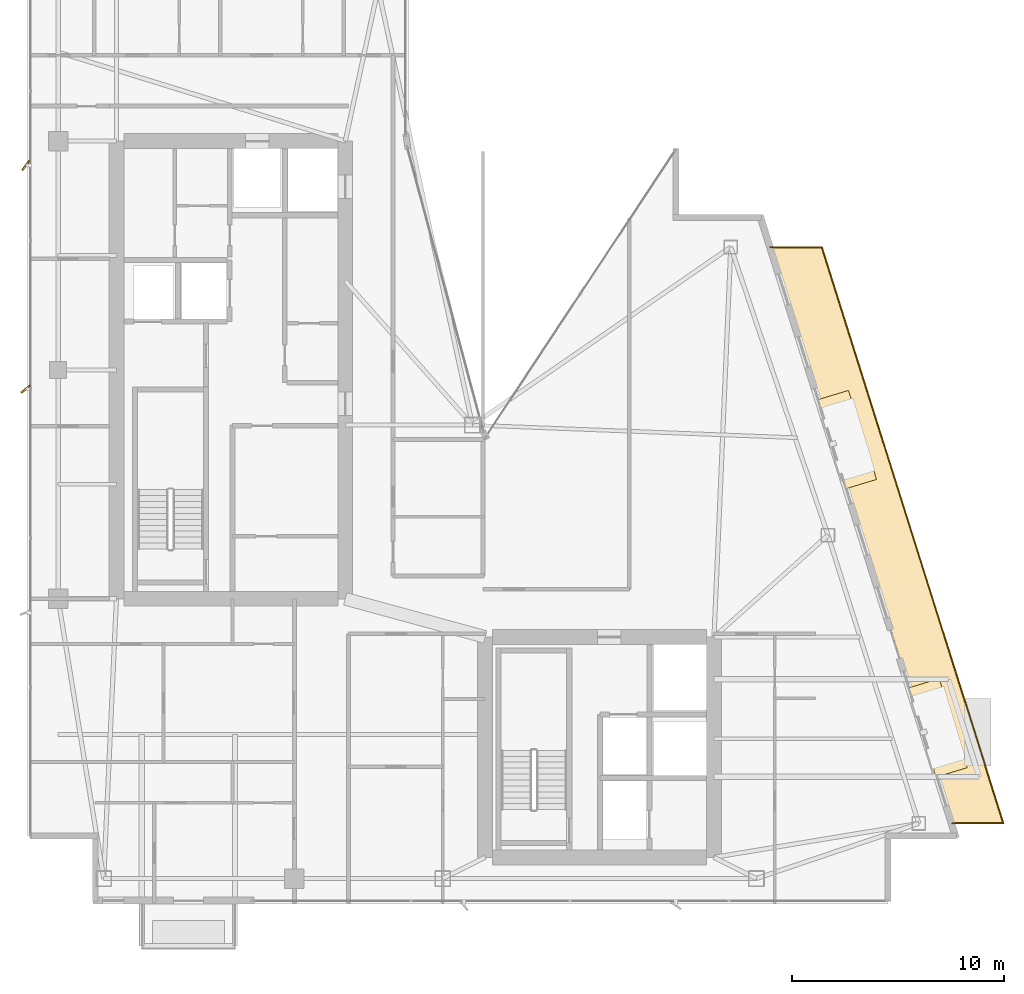
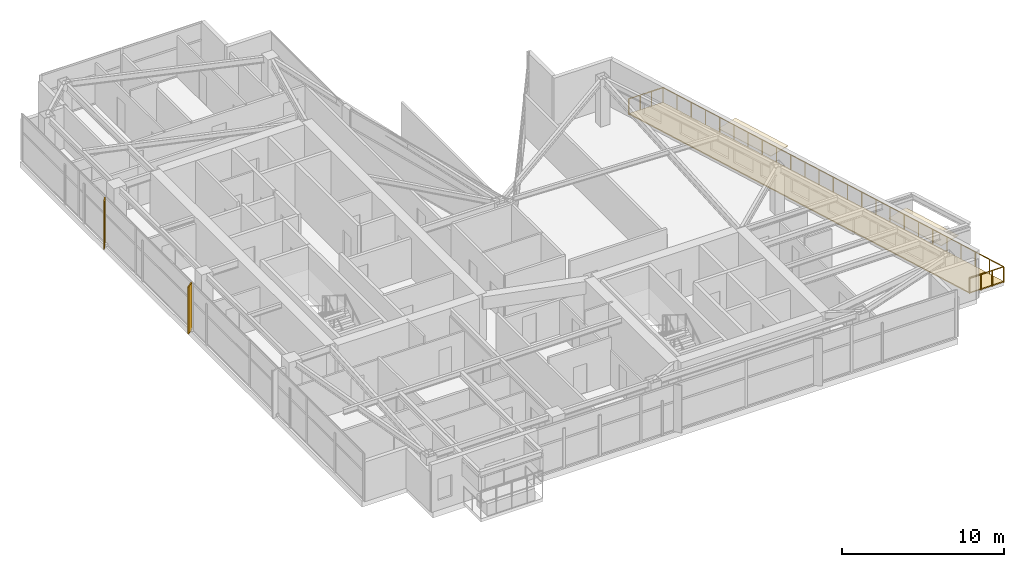
# One storey, part 28 of 28: 3 coverings, 2 shading devices, 1 railing.
"""IFC4 building model written with IfcOpenShell, lengths in metres."""

import ifcopenshell
import ifcopenshell.guid

model = None  # the IFC model being written
_history = None  # IfcOwnerHistory: only IFC2X3 demands one
_inside = {}  # id of a spatial element -> (the spatial element, [elements in it])
_under = {}  # id of a project, library or spatial element -> (it, [spatial elements below it])
_declared = {}  # id of a project -> (the project, [libraries it declares])
_typed = {}  # id of a type object -> (the type object, [elements of that type])
_made_of = {}  # id of a material, layer set ... -> (it, [elements and type objects made of it])


def new_model(schema):
    """Start an empty IFC model of exactly this schema.

    Asked for "IFC4X3", IfcOpenShell would pick the latest addendum, in which some entities
    have other attributes; the version numbers below select the first issue.
    IFC2X3 requires an IfcOwnerHistory on every rooted entity: one is made here for all.
    """
    global model, _history
    if schema == "IFC4X3":
        model = ifcopenshell.file(schema_version=(4, 3, 0, 0))
    else:
        model = ifcopenshell.file(schema=schema)
    _inside.clear()
    _under.clear()
    _declared.clear()
    _typed.clear()
    _made_of.clear()
    _history = None
    if model.schema == "IFC2X3":
        org = make("IfcOrganization", Name="unknown")
        user = make(
            "IfcPersonAndOrganization",
            ThePerson=make("IfcPerson", FamilyName="unknown"),
            TheOrganization=org,
        )
        app = make(
            "IfcApplication",
            ApplicationDeveloper=org,
            Version="unknown",
            ApplicationFullName="unknown",
            ApplicationIdentifier="unknown",
        )
        _history = make(
            "IfcOwnerHistory",
            OwningUser=user,
            OwningApplication=app,
            ChangeAction="ADDED",
            CreationDate=0,
        )
    return model


def make(cls, **values):
    """One entity of the class cls with the attributes given. An attribute that is None is left unset."""
    return model.create_entity(
        cls, **{name: value for name, value in values.items() if value is not None}
    )


def rooted(cls, **values):
    """An entity with a GlobalId (a new one), such as an element, a storey or a relation."""
    return make(cls, GlobalId=ifcopenshell.guid.new(), OwnerHistory=_history, **values)


def si_unit(unit_type, name, prefix=None):
    """IfcSIUnit, for example si_unit("LENGTHUNIT", "METRE", prefix="MILLI")."""
    return make("IfcSIUnit", UnitType=unit_type, Prefix=prefix, Name=name)


def assignment(units):
    """IfcUnitAssignment: the units of a project."""
    return None if units is None else make("IfcUnitAssignment", Units=units)


def point(xyz):
    """IfcCartesianPoint."""
    return None if xyz is None else make("IfcCartesianPoint", Coordinates=xyz)


def direction(xyz):
    """IfcDirection."""
    return None if xyz is None else make("IfcDirection", DirectionRatios=xyz)


def frame(location, z_axis=None, x_axis=None):
    """IfcAxis2Placement3D, a coordinate frame: its origin and axes. An axis left out is left unset."""
    return make(
        "IfcAxis2Placement3D",
        Location=point(location),
        Axis=direction(z_axis),
        RefDirection=direction(x_axis),
    )


def frame_2d(location, x_axis=None):
    """IfcAxis2Placement2D, a coordinate frame in the plane: its origin and x axis."""
    return make(
        "IfcAxis2Placement2D", Location=point(location), RefDirection=direction(x_axis)
    )


def origin():
    """The frame at (0, 0, 0) with its axes left unset."""
    return frame((0.0, 0.0, 0.0))


def origin_2d():
    """The frame at (0, 0) in the plane with its x axis left unset."""
    return frame_2d((0.0, 0.0))


def place(relative_to, where):
    """IfcLocalPlacement: puts the frame where relative to a parent placement (None: the world)."""
    return make(
        "IfcLocalPlacement", PlacementRelTo=relative_to, RelativePlacement=where
    )


def context(
    kind, dimensions, precision=None, world=None, true_north=None, identifier=None
):
    """IfcGeometricRepresentationContext, for example the 3D "Model" context."""
    return make(
        "IfcGeometricRepresentationContext",
        ContextIdentifier=identifier,
        ContextType=kind,
        CoordinateSpaceDimension=dimensions,
        Precision=precision,
        WorldCoordinateSystem=world,
        TrueNorth=true_north,
    )


def subcontext(parent, identifier, kind, view, scale=None):
    """IfcGeometricRepresentationSubContext, for example "Body" below "Model"."""
    return make(
        "IfcGeometricRepresentationSubContext",
        ContextIdentifier=identifier,
        ContextType=kind,
        ParentContext=parent,
        TargetScale=scale,
        TargetView=view,
    )


def project(units=None, contexts=None):
    """IfcProject with its units and contexts."""
    return rooted(
        "IfcProject",
        Name="project",
        RepresentationContexts=contexts,
        UnitsInContext=assignment(units),
    )


def spatial(cls, under=None, at=None, **own):
    """A site, building, storey or space (cls), placed at a placement, below another one or the project."""
    s = rooted(cls, ObjectPlacement=at, **own)
    if under is not None:
        _under.setdefault(under.id(), (under, []))[1].append(s)
    return s


def polyline(points):
    """IfcPolyline through the points."""
    return make("IfcPolyline", Points=[point(p) for p in points])


def profile(cls, at=None, kind="AREA", **sizes):
    """A parametric profile (cls). Its sizes go by their IFC names, for example OverallWidth=200.0."""
    return make(cls, ProfileType=kind, Position=at, **sizes)


def rectangle(**sizes):
    """IfcRectangleProfileDef."""
    return profile("IfcRectangleProfileDef", **sizes)


def circle(**sizes):
    """IfcCircleProfileDef."""
    return profile("IfcCircleProfileDef", **sizes)


def outline(outer, holes=None, kind="AREA"):
    """IfcArbitraryClosedProfileDef: a profile drawn as a closed curve; with holes, ...WithVoids."""
    if holes is None:
        return make("IfcArbitraryClosedProfileDef", ProfileType=kind, OuterCurve=outer)
    return make(
        "IfcArbitraryProfileDefWithVoids",
        ProfileType=kind,
        OuterCurve=outer,
        InnerCurves=holes,
    )


def extrude(swept, where, along, depth):
    """IfcExtrudedAreaSolid: the profile swept, set in the frame where, extruded along a direction by depth."""
    return make(
        "IfcExtrudedAreaSolid",
        SweptArea=swept,
        Position=where,
        ExtrudedDirection=direction(along),
        Depth=depth,
    )


def shape(context_of_items, identifier, shape_type, items):
    """IfcShapeRepresentation: the items that make up one representation, for example the "Body"."""
    return make(
        "IfcShapeRepresentation",
        ContextOfItems=context_of_items,
        RepresentationIdentifier=identifier,
        RepresentationType=shape_type,
        Items=items,
    )


def material(Name=None, Category=None):
    """IfcMaterial."""
    return make("IfcMaterial", Name=Name, Category=Category)


def layer(
    of_material, thickness, ventilated=None, Name=None, Category=None, Priority=None
):
    """IfcMaterialLayer: one layer of a wall or slab, of a material (None: an air gap)."""
    return make(
        "IfcMaterialLayer",
        Material=of_material,
        LayerThickness=thickness,
        IsVentilated=ventilated,
        Name=Name,
        Category=Category,
        Priority=Priority,
    )


def layer_set(layers, Name=None):
    """IfcMaterialLayerSet."""
    return make("IfcMaterialLayerSet", MaterialLayers=layers, LayerSetName=Name)


def made_of(thing, what):
    """Note that an element or type object is made of a material, layer set ...; save() writes the relation."""
    if what is not None:
        _made_of.setdefault(what.id(), (what, []))[1].append(thing)
    return thing


def type_object(cls, material=None, **own):
    """A type object (cls), such as IfcWallType, which elements share."""
    return made_of(rooted(cls, **own), material)


def element(
    cls,
    number,
    at=None,
    inside=None,
    cuts=None,
    type_object=None,
    material=None,
    context=None,
    identifier="Body",
    shape_type=None,
    held_by="IfcProductDefinitionShape",
    body=None,
    shapes=None,
    **own,
):
    """One element of the class cls, such as IfcWall. Its Tag is "e" and its number.

    at: its placement. inside: the storey or other place that contains it. cuts: it is an
    opening in that element (IfcRelVoidsElement). A single representation is given by context,
    identifier, shape_type and body (its items); several are given by shapes. held_by: the class
    of the entity that holds the representations. save() writes the other relations.
    """
    e = rooted(cls, Tag="e%d" % number, ObjectPlacement=at, **own)
    if body is not None:
        shapes = [shape(context, identifier, shape_type, body)]
    if shapes is not None:
        e.Representation = make(held_by, Representations=shapes)
    if inside is not None:
        _inside.setdefault(inside.id(), (inside, []))[1].append(e)
    if cuts is not None:
        rooted(
            "IfcRelVoidsElement", RelatingBuildingElement=cuts, RelatedOpeningElement=e
        )
    if type_object is not None:
        _typed.setdefault(type_object.id(), (type_object, []))[1].append(e)
    return made_of(e, material)


def aggregate(whole, parts):
    """IfcRelAggregates: a whole, such as a stair, and the parts it consists of."""
    return rooted("IfcRelAggregates", RelatingObject=whole, RelatedObjects=parts)


def save(model, path):
    """Write the relations noted so far, then the file.

    IfcRelAggregates (storeys below a building ...), IfcRelContainedInSpatialStructure (elements
    in a storey), IfcRelDefinesByType, IfcRelAssociatesMaterial and IfcRelDeclares: one each for
    every whole, place, type object, material and project.
    """
    for whole, parts in _under.values():
        aggregate(whole, parts)
    for where, things in _inside.values():
        rooted(
            "IfcRelContainedInSpatialStructure",
            RelatedElements=things,
            RelatingStructure=where,
        )
    for kind, things in _typed.values():
        rooted("IfcRelDefinesByType", RelatedObjects=things, RelatingType=kind)
    for what, things in _made_of.values():
        rooted("IfcRelAssociatesMaterial", RelatedObjects=things, RelatingMaterial=what)
    for by, libraries in _declared.values():
        rooted("IfcRelDeclares", RelatingContext=by, RelatedDefinitions=libraries)
    model.write(path)


model = new_model("IFC4")

# Units and contexts
model_context = context("Model", 3, precision=1e-05, world=origin(), true_north=direction((0.0, 1.0)))
body_context = subcontext(model_context, "Body", "Model", "MODEL_VIEW")
ifc_project = project(units=[si_unit("LENGTHUNIT", "METRE"), si_unit("AREAUNIT", "SQUARE_METRE"), si_unit("VOLUMEUNIT", "CUBIC_METRE"), si_unit("PLANEANGLEUNIT", "RADIAN"), si_unit("MASSUNIT", "GRAM", prefix="KILO")], contexts=[model_context])

# Site, building, storey
site_placement = place(None, origin())
site = spatial("IfcSite", under=ifc_project, at=site_placement, CompositionType="ELEMENT")
building_placement = place(site_placement, origin())
building = spatial("IfcBuilding", under=site, at=building_placement, Name="Calvorn Quay Hotel", CompositionType="ELEMENT")
storey_placement = place(building_placement, frame((0.0, 0.0, 263.5)))
storey = spatial("IfcBuildingStorey", under=building, at=storey_placement, Name="L65", CompositionType="ELEMENT", Elevation=263.5)

# Coverings
ifc_material_1 = material(Name="Pale Anodised Aluminium Rainscreen Cladding", Category="aluminium")
ifc_layer_1 = layer(ifc_material_1, 0.044921875)
ifc_layer_set_1 = layer_set([ifc_layer_1], Name="COV-CROWN-CLAD")
covering_type_1 = type_object("IfcCoveringType", Name="COV-CROWN-CLAD", PredefinedType="CLADDING", material=ifc_layer_set_1)
covering_1_placement = place(storey_placement, frame((0.0, 0.0, 2.5048828125)))
element("IfcCovering", 1, at=covering_1_placement, inside=storey, type_object=covering_type_1, Name="Angled Bay Hood Canopy L65-HOOD-1", PredefinedType="CLADDING", context=body_context, shape_type="SweptSolid", body=[
    extrude(outline(polyline([(41.556884765625, 12.587890625), (43.030029296875, 13.034912109375), (44.35302734375, 8.8349609375), (42.8798828125, 8.387939453125), (41.556884765625, 12.587890625)])), origin(), (0.0, 0.0, 1.0), 0.045166015625),
])
covering_2_placement = place(storey_placement, frame((0.0, 0.0, 2.5048828125)))
element("IfcCovering", 2, at=covering_2_placement, inside=storey, type_object=covering_type_1, Name="Angled Bay Hood Canopy L65-HOOD-3", PredefinedType="CLADDING", context=body_context, shape_type="SweptSolid", body=[
    extrude(outline(polyline([(37.27197265625, 26.18798828125), (38.7451171875, 26.635009765625), (40.069091796875, 22.43505859375), (38.594970703125, 21.988037109375), (37.27197265625, 26.18798828125)])), origin(), (0.0, 0.0, 1.0), 0.045166015625),
])
ifc_material_2 = material(Name="Insulated Elastomeric Waterproof Roofing")
ifc_layer_2 = layer(ifc_material_2, 0.080078125)
ifc_layer_set_2 = layer_set([ifc_layer_2], Name="COV-ROOF-MEMBRANE")
covering_type_2 = type_object("IfcCoveringType", Name="COV-ROOF-MEMBRANE", PredefinedType="ROOFING", material=ifc_layer_set_2)
covering_3_placement = place(storey_placement, origin())
element("IfcCovering", 3, at=covering_3_placement, inside=storey, type_object=covering_type_2, Name="Setback Terrace Waterproofing (L65)", PredefinedType="ROOFING", context=body_context, shape_type="SweptSolid", body=[
    extrude(outline(polyline([(43.631103515625, 6.199951171875), (46.06103515625, 6.199951171875), (37.490966796875, 33.39990234375), (35.06103515625, 33.39990234375), (43.631103515625, 6.199951171875)])), origin(), (0.0, 0.0, 1.0), 0.080078125),
])

# Railing
ifc_material_3 = material(Name="Pale Anodised Aluminium and Laminated Glass", Category="aluminium")
railing_type = type_object("IfcRailingType", Name="RLG-BALUSTRADE-1200", PredefinedType="BALUSTRADE", material=ifc_material_3)
railing_placement = place(storey_placement, frame((43.631103515625, 6.199951171875, 0.0)))
element("IfcRailing", 4, at=railing_placement, inside=storey, type_object=railing_type, Name="Sawtooth Setback Terrace Balustrade (L65)", PredefinedType="BALUSTRADE", context=body_context, shape_type="SweptSolid", body=[
    extrude(circle(Radius=0.02392578125, at=origin_2d()), frame((0.0, 0.0, 1.17578125), z_axis=(1.0, 0.0, 0.0), x_axis=(0.0, 1.0, 0.0)), (0.0, 0.0, 1.0), 2.429931640625),
    extrude(circle(Radius=0.02392578125, at=origin_2d()), frame((2.429931640625, 0.0, 1.17578125), z_axis=(-0.300513044248, 0.953777704833, 0.0), x_axis=(-0.953777704833, -0.300513044248, 0.0)), (0.0, 0.0, 1.0), 28.51806640625),
    extrude(circle(Radius=0.02392578125, at=origin_2d()), frame((-6.14013671875, 27.199951171875, 1.17578125), z_axis=(-1.0, 0.0, 0.0), x_axis=(0.0, -1.0, 0.0)), (0.0, 0.0, 1.0), 2.429931640625),
    extrude(circle(Radius=0.02099609375, at=origin_2d()), origin(), (0.0, 0.0, 1.0), 1.15185546875),
    extrude(circle(Radius=0.02099609375, at=origin_2d()), frame((0.81005859375, 0.0, 0.0)), (0.0, 0.0, 1.0), 1.15185546875),
    extrude(circle(Radius=0.02099609375, at=origin_2d()), frame((1.619873046875, 0.0, 0.0)), (0.0, 0.0, 1.0), 1.15185546875),
    extrude(circle(Radius=0.02099609375, at=origin_2d()), frame((2.429931640625, 0.0, 0.0)), (0.0, 0.0, 1.0), 1.15185546875),
    extrude(circle(Radius=0.02099609375, at=origin_2d()), frame((2.07275390625, 1.13330078125, 0.0)), (0.0, 0.0, 1.0), 1.15185546875),
    extrude(circle(Radius=0.02099609375, at=origin_2d()), frame((1.7158203125, 2.2666015625, 0.0)), (0.0, 0.0, 1.0), 1.15185546875),
    extrude(circle(Radius=0.02099609375, at=origin_2d()), frame((1.358642578125, 3.39990234375, 0.0)), (0.0, 0.0, 1.0), 1.15185546875),
    extrude(circle(Radius=0.02099609375, at=origin_2d()), frame((1.00146484375, 4.533203125, 0.0)), (0.0, 0.0, 1.0), 1.15185546875),
    extrude(circle(Radius=0.02099609375, at=origin_2d()), frame((0.64453125, 5.666748046875, 0.0)), (0.0, 0.0, 1.0), 1.15185546875),
    extrude(circle(Radius=0.02099609375, at=origin_2d()), frame((0.287353515625, 6.800048828125, 0.0)), (0.0, 0.0, 1.0), 1.15185546875),
    extrude(circle(Radius=0.02099609375, at=origin_2d()), frame((-0.069580078125, 7.933349609375, 0.0)), (0.0, 0.0, 1.0), 1.15185546875),
    extrude(circle(Radius=0.02099609375, at=origin_2d()), frame((-0.4267578125, 9.066650390625, 0.0)), (0.0, 0.0, 1.0), 1.15185546875),
    extrude(circle(Radius=0.02099609375, at=origin_2d()), frame((-0.783935546875, 10.199951171875, 0.0)), (0.0, 0.0, 1.0), 1.15185546875),
    extrude(circle(Radius=0.02099609375, at=origin_2d()), frame((-1.140869140625, 11.333251953125, 0.0)), (0.0, 0.0, 1.0), 1.15185546875),
    extrude(circle(Radius=0.02099609375, at=origin_2d()), frame((-1.498046875, 12.466552734375, 0.0)), (0.0, 0.0, 1.0), 1.15185546875),
    extrude(circle(Radius=0.02099609375, at=origin_2d()), frame((-1.85498046875, 13.60009765625, 0.0)), (0.0, 0.0, 1.0), 1.15185546875),
    extrude(circle(Radius=0.02099609375, at=origin_2d()), frame((-2.212158203125, 14.7333984375, 0.0)), (0.0, 0.0, 1.0), 1.15185546875),
    extrude(circle(Radius=0.02099609375, at=origin_2d()), frame((-2.5693359375, 15.86669921875, 0.0)), (0.0, 0.0, 1.0), 1.15185546875),
    extrude(circle(Radius=0.02099609375, at=origin_2d()), frame((-2.92626953125, 17.0, 0.0)), (0.0, 0.0, 1.0), 1.15185546875),
    extrude(circle(Radius=0.02099609375, at=origin_2d()), frame((-3.283447265625, 18.13330078125, 0.0)), (0.0, 0.0, 1.0), 1.15185546875),
    extrude(circle(Radius=0.02099609375, at=origin_2d()), frame((-3.640625, 19.2666015625, 0.0)), (0.0, 0.0, 1.0), 1.15185546875),
    extrude(circle(Radius=0.02099609375, at=origin_2d()), frame((-3.99755859375, 20.39990234375, 0.0)), (0.0, 0.0, 1.0), 1.15185546875),
    extrude(circle(Radius=0.02099609375, at=origin_2d()), frame((-4.354736328125, 21.533203125, 0.0)), (0.0, 0.0, 1.0), 1.15185546875),
    extrude(circle(Radius=0.02099609375, at=origin_2d()), frame((-4.7119140625, 22.66650390625, 0.0)), (0.0, 0.0, 1.0), 1.15185546875),
    extrude(circle(Radius=0.02099609375, at=origin_2d()), frame((-5.06884765625, 23.800048828125, 0.0)), (0.0, 0.0, 1.0), 1.15185546875),
    extrude(circle(Radius=0.02099609375, at=origin_2d()), frame((-5.426025390625, 24.933349609375, 0.0)), (0.0, 0.0, 1.0), 1.15185546875),
    extrude(circle(Radius=0.02099609375, at=origin_2d()), frame((-5.782958984375, 26.066650390625, 0.0)), (0.0, 0.0, 1.0), 1.15185546875),
    extrude(circle(Radius=0.02099609375, at=origin_2d()), frame((-6.14013671875, 27.199951171875, 0.0)), (0.0, 0.0, 1.0), 1.15185546875),
    extrude(circle(Radius=0.02099609375, at=origin_2d()), frame((-6.9501953125, 27.199951171875, 0.0)), (0.0, 0.0, 1.0), 1.15185546875),
    extrude(circle(Radius=0.02099609375, at=origin_2d()), frame((-7.760009765625, 27.199951171875, 0.0)), (0.0, 0.0, 1.0), 1.15185546875),
    extrude(circle(Radius=0.02099609375, at=origin_2d()), frame((-8.570068359375, 27.199951171875, 0.0)), (0.0, 0.0, 1.0), 1.15185546875),
])

# Shading devices
ifc_material_4 = material(Name="Champagne Bronze Anodised Aluminium 6063-T6", Category="aluminium")
shading_device_type_1 = type_object("IfcShadingDeviceType", Name="SHD-FIN-A2", PredefinedType="USERDEFINED", material=ifc_material_4)
shading_device_1_placement = place(storey_placement, frame((-0.080078125, 26.699951171875, 0.0), z_axis=(0.0, 0.0, 1.0), x_axis=(0.788010753607, 0.615661475326, 0.0)))
element("IfcShadingDevice", 5, at=shading_device_1_placement, inside=storey, type_object=shading_device_type_1, Name="Diagonal Sun-Shading Fin L65-W02", ObjectType="FIN", PredefinedType="USERDEFINED", context=body_context, shape_type="SweptSolid", body=[
    extrude(rectangle(XDim=0.550048828125, YDim=0.080078125, at=origin_2d()), origin(), (0.0, 0.0, 1.0), 3.56005859375),
])
ifc_material_5 = material(Name="Champagne Bronze Anodised Aluminium 6063-T6", Category="aluminium")
shading_device_type_2 = type_object("IfcShadingDeviceType", Name="SHD-FIN-A3", PredefinedType="USERDEFINED", material=ifc_material_5)
shading_device_2_placement = place(storey_placement, frame((-0.080078125, 37.25, 0.0), z_axis=(0.0, 0.0, 1.0), x_axis=(0.587785252292, 0.809016994375, 0.0)))
element("IfcShadingDevice", 6, at=shading_device_2_placement, inside=storey, type_object=shading_device_type_2, Name="Diagonal Sun-Shading Fin L65-W03", ObjectType="FIN", PredefinedType="USERDEFINED", context=body_context, shape_type="SweptSolid", body=[
    extrude(rectangle(XDim=0.550048828125, YDim=0.080078125, at=origin_2d()), origin(), (0.0, 0.0, 1.0), 3.56005859375),
])

save(model, "model.ifc")
